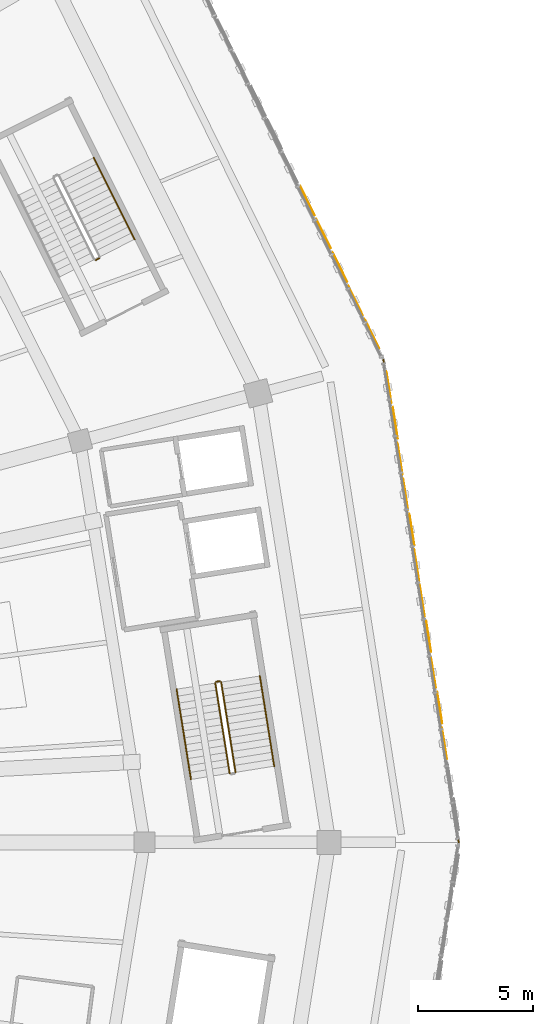
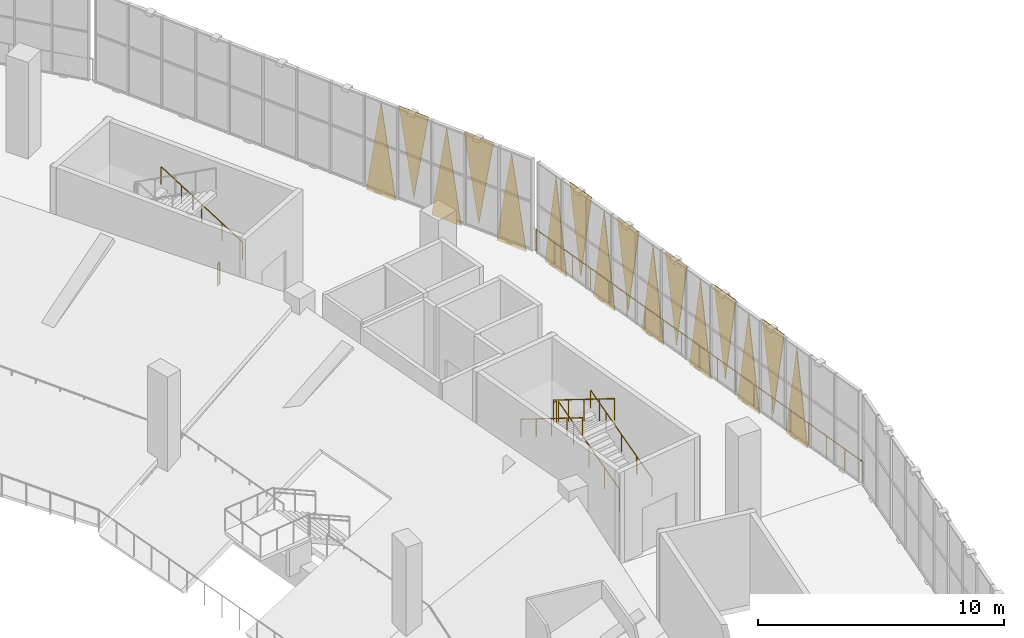
# One storey, part 136 of 152: 16 coverings, 8 railings.
"""IFC4 building model written with IfcOpenShell, lengths in metres."""

from ifc_helpers import new_model, si_unit, direction, frame, origin, origin_2d, place, context, subcontext, project, spatial, polyline, circle, outline, extrude, material, layer, layer_set, type_object, element, save


model = new_model("IFC4")

# Units and contexts
model_context = context("Model", 3, precision=1e-05, world=origin(), true_north=direction((0.0, 1.0)))
body_context = subcontext(model_context, "Body", "Model", "MODEL_VIEW")
ifc_project = project(units=[si_unit("LENGTHUNIT", "METRE"), si_unit("AREAUNIT", "SQUARE_METRE"), si_unit("VOLUMEUNIT", "CUBIC_METRE"), si_unit("PLANEANGLEUNIT", "RADIAN"), si_unit("MASSUNIT", "GRAM", prefix="KILO")], contexts=[model_context])

# Site, building, storey
site_placement = place(None, origin())
site = spatial("IfcSite", under=ifc_project, at=site_placement, CompositionType="ELEMENT")
building_placement = place(site_placement, origin())
building = spatial("IfcBuilding", under=site, at=building_placement, Name="Zevraka Park Crest Stadium", CompositionType="ELEMENT")
storey_placement = place(building_placement, frame((0.0, 0.0, 15.0)))
storey = spatial("IfcBuildingStorey", under=building, at=storey_placement, Name="L03", CompositionType="ELEMENT", Elevation=15.0)

# Coverings
ifc_material_1 = material(Name="Architectural golden-bronze perforated aluminium", Category="aluminium")
ifc_layer = layer(ifc_material_1, 0.034912109375)
ifc_layer_set = layer_set([ifc_layer], Name="Architectural golden-bronze perforated aluminium")
covering_type = type_object("IfcCoveringType", Name="CLD01", PredefinedType="CLADDING", material=ifc_layer_set)
covering_1_placement = place(storey_placement, frame((207.43603515625, 95.612060546875, -0.260009765625), z_axis=(0.988065896134, 0.154031762917, 3.0175905e-05), x_axis=(-0.154031762987, 0.988065896583, 0.0)))
element("IfcCovering", 1, at=covering_1_placement, inside=storey, type_object=covering_type, Name="Triangular Golden-Bronze Perforated Cladding L03-00-3", PredefinedType="CLADDING", context=body_context, shape_type="SweptSolid", body=[
    extrude(outline(polyline([(0.0, 0.0), (1.4027266125847992, 0.0), (0.7012614954850758, 4.620117189603506), (0.0, 0.0)])), origin(), (0.0, 0.0, -1.0), 0.034912109375),
])
covering_2_placement = place(storey_placement, frame((206.97900390625, 98.5419921875, 4.52001953125), z_axis=(-0.988065896306, -0.154031762944, 2.3676663e-05), x_axis=(0.154031762987, -0.988065896583, 0.0)))
element("IfcCovering", 2, at=covering_2_placement, inside=storey, type_object=covering_type, Name="Triangular Golden-Bronze Perforated Cladding L03-00-4", PredefinedType="CLADDING", context=body_context, shape_type="SweptSolid", body=[
    extrude(outline(polyline([(0.0, 0.0), (1.4027266125847992, 0.0), (0.7012238900741903, -4.3000488293302706), (0.0, 0.0)])), origin(), (0.0, 0.0, -1.0), 0.034912109375),
])
covering_3_placement = place(storey_placement, frame((206.955078125, 98.700927734375, -0.260009765625), z_axis=(0.987959710931, 0.154711323413, 0.000126429064), x_axis=(-0.15471132465, 0.987959718827, 0.0)))
element("IfcCovering", 3, at=covering_3_placement, inside=storey, type_object=covering_type, Name="Triangular Golden-Bronze Perforated Cladding L03-00-5", PredefinedType="CLADDING", context=body_context, shape_type="SweptSolid", body=[
    extrude(outline(polyline([(0.0, 0.0), (1.402877366063389, -3.3881317890172014e-21), (0.7016537118820457, 4.62011722442469), (0.0, 0.0)])), origin(), (0.0, 0.0, -1.0), 0.034912109375),
])
covering_4_placement = place(storey_placement, frame((206.4970703125, 101.631103515625, 4.52001953125), z_axis=(-0.987959708495, -0.154711323032, 0.00014462357), x_axis=(0.15471132465, -0.987959718827, 0.0)))
element("IfcCovering", 4, at=covering_4_placement, inside=storey, type_object=covering_type, Name="Triangular Golden-Bronze Perforated Cladding L03-00-6", PredefinedType="CLADDING", context=body_context, shape_type="SweptSolid", body=[
    extrude(outline(polyline([(0.0, 0.0), (1.4028773660633889, 0.0), (0.7014648552845726, -4.3000488730948625), (0.0, 0.0)])), origin(), (0.0, 0.0, -1.0), 0.034912109375),
])
covering_5_placement = place(storey_placement, frame((206.472900390625, 101.7890625, -0.260009765625), z_axis=(0.987986299127, 0.154541453871, 0.000108499436), x_axis=(-0.154541454781, 0.987986304943, 0.0)))
element("IfcCovering", 5, at=covering_5_placement, inside=storey, type_object=covering_type, Name="Triangular Golden-Bronze Perforated Cladding L03-00-7", PredefinedType="CLADDING", context=body_context, shape_type="SweptSolid", body=[
    extrude(outline(polyline([(0.0, 0.0), (1.4028396154796832, 0.0), (0.7013746636375686, 4.620117214694304), (0.0, 0.0)])), origin(), (0.0, 0.0, -1.0), 0.034912109375),
])
covering_6_placement = place(storey_placement, frame((206.014892578125, 104.718994140625, 4.52001953125), z_axis=(0.987959709712, 0.154711323222, 0.000135839642), x_axis=(0.15471132465, -0.987959718827, 0.0)))
element("IfcCovering", 6, at=covering_6_placement, inside=storey, type_object=covering_type, Name="Triangular Golden-Bronze Perforated Cladding L03-00-8", PredefinedType="CLADDING", context=body_context, shape_type="SweptSolid", body=[
    extrude(outline(polyline([(0.0, 0.0), (1.402877366063389, -3.3881317890172014e-21), (0.7016537118820457, 4.300048867798131), (0.0, 0.0)])), origin(), (0.0, 0.0, -1.0), 0.034912109375),
])
covering_7_placement = place(storey_placement, frame((205.990966796875, 104.876953125, -0.260009765625), z_axis=(-0.987959709877, -0.154711323248, 0.000134604467), x_axis=(-0.15471132465, 0.987959718827, 0.0)))
element("IfcCovering", 7, at=covering_7_placement, inside=storey, type_object=covering_type, Name="Triangular Golden-Bronze Perforated Cladding L03-00-9", PredefinedType="CLADDING", context=body_context, shape_type="SweptSolid", body=[
    extrude(outline(polyline([(0.0, 0.0), (1.402877366063389, -3.3881317890172014e-21), (0.7014648552845727, -4.62011722935448), (0.0, 0.0)])), origin(), (0.0, 0.0, -1.0), 0.034912109375),
])
covering_8_placement = place(storey_placement, frame((205.533935546875, 107.80810546875, 4.52001953125), z_axis=(0.988065896306, 0.154031762944, 2.3676663e-05), x_axis=(0.154031762987, -0.988065896583, 0.0)))
element("IfcCovering", 8, at=covering_8_placement, inside=storey, type_object=covering_type, Name="Triangular Golden-Bronze Perforated Cladding L03-00-10", PredefinedType="CLADDING", context=body_context, shape_type="SweptSolid", body=[
    extrude(outline(polyline([(0.0, 0.0), (1.4027266125847992, 0.0), (0.7015027225106089, 4.3000488293302706), (0.0, 0.0)])), origin(), (0.0, 0.0, -1.0), 0.034912109375),
])
covering_9_placement = place(storey_placement, frame((205.509033203125, 107.966064453125, -0.260009765625), z_axis=(0.988065896134, 0.154031762917, 3.0175905e-05), x_axis=(-0.154031762987, 0.988065896583, 0.0)))
element("IfcCovering", 9, at=covering_9_placement, inside=storey, type_object=covering_type, Name="Triangular Golden-Bronze Perforated Cladding L03-00-11", PredefinedType="CLADDING", context=body_context, shape_type="SweptSolid", body=[
    extrude(outline(polyline([(0.0, 0.0), (1.4027266125847992, 0.0), (0.7012614954850758, 4.620117189603506), (0.0, 0.0)])), origin(), (0.0, 0.0, -1.0), 0.034912109375),
])
covering_10_placement = place(storey_placement, frame((205.052001953125, 110.89599609375, 4.52001953125), z_axis=(-0.988065896064, -0.154031762906, 3.2422008e-05), x_axis=(0.154031762987, -0.988065896583, 0.0)))
element("IfcCovering", 10, at=covering_10_placement, inside=storey, type_object=covering_type, Name="Triangular Golden-Bronze Perforated Cladding L03-00-12", PredefinedType="CLADDING", context=body_context, shape_type="SweptSolid", body=[
    extrude(outline(polyline([(0.0, 0.0), (1.4027266125847992, -8.470329472543003e-22), (0.7014651170997234, -4.3000488303850775), (0.0, 0.0)])), origin(), (0.0, 0.0, -1.0), 0.034912109375),
])
covering_11_placement = place(storey_placement, frame((205.027099609375, 111.053955078125, -0.260009765625), z_axis=(0.988065896343, 0.154031762949, 2.2036412e-05), x_axis=(-0.154031762987, 0.988065896583, 0.0)))
element("IfcCovering", 11, at=covering_11_placement, inside=storey, type_object=covering_type, Name="Triangular Golden-Bronze Perforated Cladding L03-00-13", PredefinedType="CLADDING", context=body_context, shape_type="SweptSolid", body=[
    extrude(outline(polyline([(0.0, 0.0), (1.4027266125847992, 0.0), (0.7015027225106089, 4.620117188621773), (0.0, 0.0)])), origin(), (0.0, 0.0, -1.0), 0.034912109375),
])
covering_12_placement = place(storey_placement, frame((204.4951171875, 113.43994140625, -0.260009765625), z_axis=(0.897814621481, 0.440373593747, 5.81766e-05), x_axis=(-0.440373594493, 0.897814623001, 0.0)))
element("IfcCovering", 12, at=covering_12_placement, inside=storey, type_object=covering_type, Name="Triangular Golden-Bronze Perforated Cladding L03-01-1", PredefinedType="CLADDING", context=body_context, shape_type="SweptSolid", body=[
    extrude(outline(polyline([(0.0, 0.0), (1.4447516306762154, 6.776263578034403e-21), (0.721827832780124, 4.620117195318432), (0.0, 0.0)])), origin(), (0.0, 0.0, -1.0), 0.034912109375),
])
covering_13_placement = place(storey_placement, frame((203.15087890625, 116.177001953125, 4.52001953125), z_axis=(0.897547277, 0.440918199317, 0.000164502927), x_axis=(0.440918205283, -0.897547289144, 0.0)))
element("IfcCovering", 13, at=covering_13_placement, inside=storey, type_object=covering_type, Name="Triangular Golden-Bronze Perforated Cladding L03-01-2", PredefinedType="CLADDING", context=body_context, shape_type="SweptSolid", body=[
    extrude(outline(polyline([(0.0, 0.0), (1.4451819489774211, 1.3552527156068805e-20), (0.7222584471907869, 4.300048886307271), (0.0, 0.0)])), origin(), (0.0, 0.0, -1.0), 0.034912109375),
])
covering_14_placement = place(storey_placement, frame((203.0810546875, 116.321044921875, -0.260009765625), z_axis=(-0.897581300488, -0.440848948226, 0.000117737785), x_axis=(-0.440848951281, 0.89758130671, 0.0)))
element("IfcCovering", 14, at=covering_14_placement, inside=storey, type_object=covering_type, Name="Triangular Golden-Bronze Perforated Cladding L03-01-3", PredefinedType="CLADDING", context=body_context, shape_type="SweptSolid", body=[
    extrude(outline(polyline([(0.0, 0.0), (1.4448551794759072, 0.0), (0.7227044181526259, -4.620117219522464), (0.0, 0.0)])), origin(), (0.0, 0.0, -1.0), 0.034912109375),
])
covering_15_placement = place(storey_placement, frame((201.737060546875, 119.05908203125, 4.52001953125), z_axis=(-0.897614122454, -0.440782090247, 0.000189972778), x_axis=(0.440782098201, -0.897614138651, 0.0)))
element("IfcCovering", 15, at=covering_15_placement, inside=storey, type_object=covering_type, Name="Triangular Golden-Bronze Perforated Cladding L03-01-4", PredefinedType="CLADDING", context=body_context, shape_type="SweptSolid", body=[
    extrude(outline(polyline([(0.0, 0.0), (1.4450743195452247, 1.3552527156068805e-20), (0.7228159879223013, -4.300048905718644), (0.0, 0.0)])), origin(), (0.0, 0.0, -1.0), 0.034912109375),
])
covering_16_placement = place(storey_placement, frame((201.666015625, 119.201904296875, -0.260009765625), z_axis=(-0.897881429156, -0.440237365509, 3.4435251e-05), x_axis=(-0.44023736577, 0.897881429689, 0.0)))
element("IfcCovering", 16, at=covering_16_placement, inside=storey, type_object=covering_type, Name="Triangular Golden-Bronze Perforated Cladding L03-01-5", PredefinedType="CLADDING", context=body_context, shape_type="SweptSolid", body=[
    extrude(outline(polyline([(0.0, 0.0), (1.4446441342204863, 0.0), (0.722923830356607, -4.620117190239236), (0.0, 0.0)])), origin(), (0.0, 0.0, -1.0), 0.034912109375),
])

# Railings
ifc_material_2 = material(Name="Galvanised and bronze-finished steel balustrade", Category="steel")
railing_type_1 = type_object("IfcRailingType", Name="GR01", PredefinedType="GUARDRAIL", material=ifc_material_2)
railing_1_placement = place(storey_placement, frame((204.660888671875, 112.943115234375, 0.0)))
element("IfcRailing", 17, at=railing_1_placement, inside=storey, type_object=railing_type_1, Name="Deck Edge Protection Guardrail GR01 L03-20", PredefinedType="GUARDRAIL", context=body_context, shape_type="SweptSolid", body=[
    extrude(circle(Radius=0.02392578125, at=origin_2d()), frame((0.0, 0.0, 1.076171875), z_axis=(0.154179062978, -0.988042922417, 0.0), x_axis=(0.988042922417, 0.154179062978, 0.0)), (0.0, 0.0, 1.0), 21.196533203125),
    extrude(circle(Radius=0.02099609375, at=origin_2d()), origin(), (0.0, 0.0, 1.0), 1.052001953125),
    extrude(circle(Radius=0.02099609375, at=origin_2d()), frame((0.181640625, -1.16357421875, 0.0)), (0.0, 0.0, 1.0), 1.052001953125),
    extrude(circle(Radius=0.02099609375, at=origin_2d()), frame((0.363037109375, -2.326904296875, 0.0)), (0.0, 0.0, 1.0), 1.052001953125),
    extrude(circle(Radius=0.02099609375, at=origin_2d()), frame((0.544677734375, -3.490478515625, 0.0)), (0.0, 0.0, 1.0), 1.052001953125),
    extrude(circle(Radius=0.02099609375, at=origin_2d()), frame((0.726318359375, -4.654052734375, 0.0)), (0.0, 0.0, 1.0), 1.052001953125),
    extrude(circle(Radius=0.02099609375, at=origin_2d()), frame((0.90771484375, -5.817626953125, 0.0)), (0.0, 0.0, 1.0), 1.052001953125),
    extrude(circle(Radius=0.02099609375, at=origin_2d()), frame((1.08935546875, -6.98095703125, 0.0)), (0.0, 0.0, 1.0), 1.052001953125),
    extrude(circle(Radius=0.02099609375, at=origin_2d()), frame((1.27099609375, -8.14453125, 0.0)), (0.0, 0.0, 1.0), 1.052001953125),
    extrude(circle(Radius=0.02099609375, at=origin_2d()), frame((1.452392578125, -9.30810546875, 0.0)), (0.0, 0.0, 1.0), 1.052001953125),
    extrude(circle(Radius=0.02099609375, at=origin_2d()), frame((1.634033203125, -10.4716796875, 0.0)), (0.0, 0.0, 1.0), 1.052001953125),
    extrude(circle(Radius=0.02099609375, at=origin_2d()), frame((1.815673828125, -11.635009765625, 0.0)), (0.0, 0.0, 1.0), 1.052001953125),
    extrude(circle(Radius=0.02099609375, at=origin_2d()), frame((1.9970703125, -12.798583984375, 0.0)), (0.0, 0.0, 1.0), 1.052001953125),
    extrude(circle(Radius=0.02099609375, at=origin_2d()), frame((2.1787109375, -13.962158203125, 0.0)), (0.0, 0.0, 1.0), 1.052001953125),
    extrude(circle(Radius=0.02099609375, at=origin_2d()), frame((2.3603515625, -15.12548828125, 0.0)), (0.0, 0.0, 1.0), 1.052001953125),
    extrude(circle(Radius=0.02099609375, at=origin_2d()), frame((2.541748046875, -16.2890625, 0.0)), (0.0, 0.0, 1.0), 1.052001953125),
    extrude(circle(Radius=0.02099609375, at=origin_2d()), frame((2.723388671875, -17.45263671875, 0.0)), (0.0, 0.0, 1.0), 1.052001953125),
    extrude(circle(Radius=0.02099609375, at=origin_2d()), frame((2.905029296875, -18.6162109375, 0.0)), (0.0, 0.0, 1.0), 1.052001953125),
    extrude(circle(Radius=0.02099609375, at=origin_2d()), frame((3.08642578125, -19.779541015625, 0.0)), (0.0, 0.0, 1.0), 1.052001953125),
    extrude(circle(Radius=0.02099609375, at=origin_2d()), frame((3.26806640625, -20.943115234375, 0.0)), (0.0, 0.0, 1.0), 1.052001953125),
])
ifc_material_3 = material(Name="Powder-coated tubular steel stairwell guard", Category="steel")
railing_type_2 = type_object("IfcRailingType", Name="GR03", PredefinedType="GUARDRAIL", material=ifc_material_3)
railing_2_placement = place(storey_placement, frame((198.24658203125, 95.039794921875, 0.17138671875)))
element("IfcRailing", 18, at=railing_2_placement, inside=storey, type_object=railing_type_2, Name="L03 ST01 stair guard 1", PredefinedType="GUARDRAIL", context=body_context, shape_type="SweptSolid", body=[
    extrude(circle(Radius=0.02392578125, at=origin_2d()), frame((0.0, 0.0, 1.076171875), z_axis=(-0.137093904715, 0.860889602123, 0.489973830165), x_axis=(-0.987556409005, -0.157265186968, 0.0)), (0.0, 0.0, 1.0), 4.54833984375),
    extrude(circle(Radius=0.02099609375, at=origin_2d()), origin(), (0.0, 0.0, 1.0), 1.052001953125),
    extrude(circle(Radius=0.02099609375, at=origin_2d()), frame((-0.15576171875, 0.97900390625, 0.55712890625)), (0.0, 0.0, 1.0), 1.052001953125),
    extrude(circle(Radius=0.02099609375, at=origin_2d()), frame((-0.311767578125, 1.957763671875, 1.1142578125)), (0.0, 0.0, 1.0), 1.052001953125),
    extrude(circle(Radius=0.02099609375, at=origin_2d()), frame((-0.4677734375, 2.9365234375, 1.67138671875)), (0.0, 0.0, 1.0), 1.052001953125),
    extrude(circle(Radius=0.02099609375, at=origin_2d()), frame((-0.62353515625, 3.91552734375, 2.228515625)), (0.0, 0.0, 1.0), 1.052001953125),
])
railing_3_placement = place(storey_placement, frame((197.56591796875, 98.996826171875, 2.39990234375)))
element("IfcRailing", 19, at=railing_3_placement, inside=storey, type_object=railing_type_2, Name="L03 ST01 stair guard 2", PredefinedType="GUARDRAIL", context=body_context, shape_type="SweptSolid", body=[
    extrude(circle(Radius=0.02392578125, at=origin_2d()), frame((0.0, 0.0, 1.076171875), z_axis=(-0.987601795403, -0.15697991501, 0.0), x_axis=(0.15697991501, -0.987601795403, 0.0)), (0.0, 0.0, 1.0), 0.16015625),
    extrude(circle(Radius=0.02099609375, at=origin_2d()), origin(), (0.0, 0.0, 1.0), 1.052001953125),
    extrude(circle(Radius=0.02099609375, at=origin_2d()), frame((-0.158203125, -0.025146484375, 0.0)), (0.0, 0.0, 1.0), 1.052001953125),
])
railing_4_placement = place(storey_placement, frame((197.3662109375, 98.91455078125, 2.571533203125)))
element("IfcRailing", 20, at=railing_4_placement, inside=storey, type_object=railing_type_2, Name="L03 ST01 stair guard 3", PredefinedType="GUARDRAIL", context=body_context, shape_type="SweptSolid", body=[
    extrude(circle(Radius=0.02392578125, at=origin_2d()), frame((0.0, 0.0, 1.076171875), z_axis=(0.13708756972, -0.860903496765, 0.489951188881), x_axis=(0.987557931786, 0.157255624277, 0.0)), (0.0, 0.0, 1.0), 4.54833984375),
    extrude(circle(Radius=0.02099609375, at=origin_2d()), origin(), (0.0, 0.0, 1.0), 1.052001953125),
    extrude(circle(Radius=0.02099609375, at=origin_2d()), frame((0.15576171875, -0.97900390625, 0.55712890625)), (0.0, 0.0, 1.0), 1.052001953125),
    extrude(circle(Radius=0.02099609375, at=origin_2d()), frame((0.311767578125, -1.9580078125, 1.1142578125)), (0.0, 0.0, 1.0), 1.052001953125),
    extrude(circle(Radius=0.02099609375, at=origin_2d()), frame((0.4677734375, -2.936767578125, 1.67138671875)), (0.0, 0.0, 1.0), 1.052001953125),
    extrude(circle(Radius=0.02099609375, at=origin_2d()), frame((0.62353515625, -3.915771484375, 2.228515625)), (0.0, 0.0, 1.0), 1.052001953125),
])
railing_5_placement = place(storey_placement, frame((192.32421875, 117.34619140625, 0.0)))
element("IfcRailing", 21, at=railing_5_placement, inside=storey, type_object=railing_type_2, Name="L03 ST02 stair guard 4", PredefinedType="GUARDRAIL", context=body_context, shape_type="SweptSolid", body=[
    extrude(circle(Radius=0.02392578125, at=origin_2d()), frame((0.0, 0.0, 1.076171875), z_axis=(-0.894427191, -0.4472135955, 0.0), x_axis=(0.4472135955, -0.894427191, 0.0)), (0.0, 0.0, 1.0), 0.159912109375),
    extrude(circle(Radius=0.02099609375, at=origin_2d()), origin(), (0.0, 0.0, 1.0), 1.052001953125),
    extrude(circle(Radius=0.02099609375, at=origin_2d()), frame((-0.14306640625, -0.071533203125, 0.0)), (0.0, 0.0, 1.0), 1.052001953125),
])
ifc_material_4 = material(Name="Brushed stainless steel continuous handrail", Category="steel")
railing_type_3 = type_object("IfcRailingType", Name="HR01", PredefinedType="HANDRAIL", material=ifc_material_4)
railing_6_placement = place(storey_placement, frame((199.925537109375, 95.30712890625, 0.17138671875)))
element("IfcRailing", 22, at=railing_6_placement, inside=storey, type_object=railing_type_3, Name="L03 ST01 stair handrail 1", PredefinedType="HANDRAIL", context=body_context, shape_type="SweptSolid", body=[
    extrude(circle(Radius=0.02392578125, at=origin_2d()), frame((0.0, 0.0, 0.8759765625), z_axis=(-0.137093904715, 0.860889602123, 0.489973830165), x_axis=(-0.987556409005, -0.157265186968, 0.0)), (0.0, 0.0, 1.0), 4.54833984375),
    extrude(circle(Radius=0.02099609375, at=origin_2d()), origin(), (0.0, 0.0, 1.0), 0.851806640625),
    extrude(circle(Radius=0.02099609375, at=origin_2d()), frame((-0.15576171875, 0.97900390625, 0.55712890625)), (0.0, 0.0, 1.0), 0.851806640625),
    extrude(circle(Radius=0.02099609375, at=origin_2d()), frame((-0.311767578125, 1.957763671875, 1.1142578125)), (0.0, 0.0, 1.0), 0.851806640625),
    extrude(circle(Radius=0.02099609375, at=origin_2d()), frame((-0.4677734375, 2.9365234375, 1.67138671875)), (0.0, 0.0, 1.0), 0.851806640625),
    extrude(circle(Radius=0.02099609375, at=origin_2d()), frame((-0.62353515625, 3.91552734375, 2.228515625)), (0.0, 0.0, 1.0), 0.851806640625),
])
railing_7_placement = place(storey_placement, frame((195.6875, 98.647216796875, 2.571533203125)))
element("IfcRailing", 23, at=railing_7_placement, inside=storey, type_object=railing_type_3, Name="L03 ST01 stair handrail 2", PredefinedType="HANDRAIL", context=body_context, shape_type="SweptSolid", body=[
    extrude(circle(Radius=0.02392578125, at=origin_2d()), frame((0.0, 0.0, 0.8759765625), z_axis=(0.13708756972, -0.860903496765, 0.489951188881), x_axis=(0.987557931786, 0.157255624277, 0.0)), (0.0, 0.0, 1.0), 4.54833984375),
    extrude(circle(Radius=0.02099609375, at=origin_2d()), origin(), (0.0, 0.0, 1.0), 0.851806640625),
    extrude(circle(Radius=0.02099609375, at=origin_2d()), frame((0.15576171875, -0.97900390625, 0.55712890625)), (0.0, 0.0, 1.0), 0.851806640625),
    extrude(circle(Radius=0.02099609375, at=origin_2d()), frame((0.311767578125, -1.9580078125, 1.1142578125)), (0.0, 0.0, 1.0), 0.851806640625),
    extrude(circle(Radius=0.02099609375, at=origin_2d()), frame((0.4677734375, -2.936767578125, 1.67138671875)), (0.0, 0.0, 1.0), 0.851806640625),
    extrude(circle(Radius=0.02099609375, at=origin_2d()), frame((0.62353515625, -3.915771484375, 2.228515625)), (0.0, 0.0, 1.0), 0.851806640625),
])
railing_8_placement = place(storey_placement, frame((193.866455078125, 118.1748046875, 0.17138671875)))
element("IfcRailing", 24, at=railing_8_placement, inside=storey, type_object=railing_type_3, Name="L03 ST02 stair handrail 1", PredefinedType="HANDRAIL", context=body_context, shape_type="SweptSolid", body=[
    extrude(circle(Radius=0.02392578125, at=origin_2d()), frame((0.0, 0.0, 0.8759765625), z_axis=(-0.39045397791, 0.779404971028, 0.489973042393), x_axis=(-0.894082100069, -0.447903112666, 0.0)), (0.0, 0.0, 1.0), 4.54833984375),
    extrude(circle(Radius=0.02099609375, at=origin_2d()), origin(), (0.0, 0.0, 1.0), 0.851806640625),
    extrude(circle(Radius=0.02099609375, at=origin_2d()), frame((-0.44384765625, 0.88623046875, 0.55712890625)), (0.0, 0.0, 1.0), 0.851806640625),
    extrude(circle(Radius=0.02099609375, at=origin_2d()), frame((-0.887939453125, 1.7724609375, 1.1142578125)), (0.0, 0.0, 1.0), 0.851806640625),
    extrude(circle(Radius=0.02099609375, at=origin_2d()), frame((-1.33203125, 2.65869140625, 1.67138671875)), (0.0, 0.0, 1.0), 0.851806640625),
    extrude(circle(Radius=0.02099609375, at=origin_2d()), frame((-1.77587890625, 3.544921875, 2.228515625)), (0.0, 0.0, 1.0), 0.851806640625),
])

save(model, "model.ifc")
